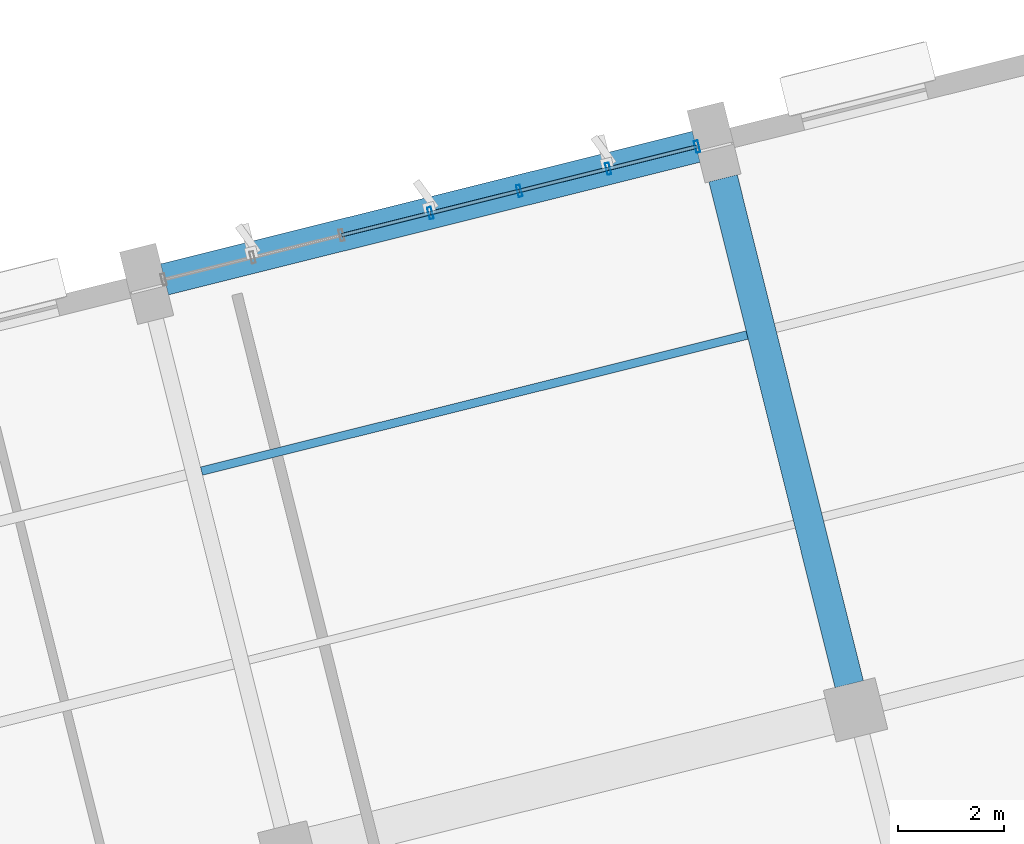
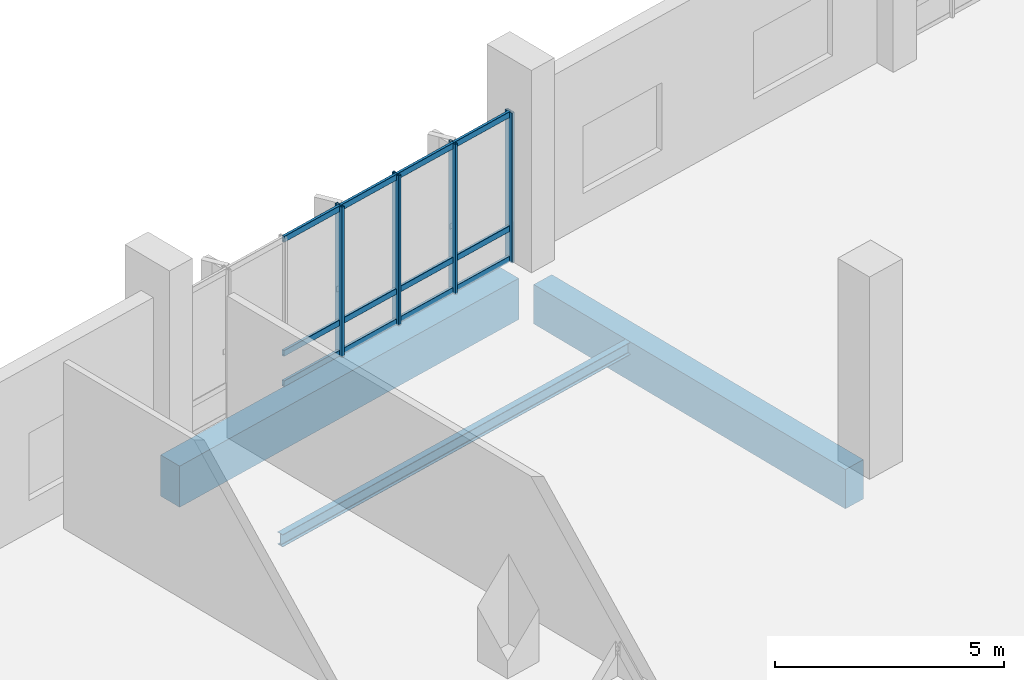
# One storey, part 96 of 176: 16 members, 3 beams, 1 element without a shape of its own.
"""IFC4 building model written with IfcOpenShell, lengths in metres."""

from ifc_helpers import new_model, si_unit, direction, frame, origin, origin_2d, place, context, subcontext, project, spatial, rectangle, hollow_rectangle, i_section, extrude, material, layer, layer_set, material_profile, profile_set, type_object, element, aggregate, save


model = new_model("IFC4")

# Units and contexts
model_context = context("Model", 3, precision=1e-05, world=origin(), true_north=direction((0.0, 1.0)))
body_context = subcontext(model_context, "Body", "Model", "MODEL_VIEW")
ifc_project = project(units=[si_unit("LENGTHUNIT", "METRE"), si_unit("AREAUNIT", "SQUARE_METRE"), si_unit("VOLUMEUNIT", "CUBIC_METRE"), si_unit("PLANEANGLEUNIT", "RADIAN"), si_unit("MASSUNIT", "GRAM", prefix="KILO")], contexts=[model_context])

# Site, building, storey
site_placement = place(None, origin())
site = spatial("IfcSite", under=ifc_project, at=site_placement, CompositionType="ELEMENT")
building_placement = place(site_placement, origin())
building = spatial("IfcBuilding", under=site, at=building_placement, Name="Khorjan Park Terminus", CompositionType="ELEMENT")
storey_placement = place(building_placement, frame((0.0, 0.0, 6.0)))
storey = spatial("IfcBuildingStorey", under=building, at=storey_placement, Name="L01", CompositionType="ELEMENT", Elevation=6.0)

# Beams
ifc_material_1 = material(Name="Concrete C40/50", Category="concrete")
ifc_material_profile_1 = material_profile(ifc_material_1, rectangle(XDim=0.55, YDim=1.05, at=origin_2d()), Name="RC 550x1050")
ifc_profile_set_1 = profile_set([ifc_material_profile_1], Name="Concrete C40/50")
beam_type_1 = type_object("IfcBeamType", Name="BM-RC550x1050", PredefinedType="BEAM", material=ifc_profile_set_1)
beam_1_placement = place(storey_placement, frame((195.2676, 66.4911, -0.875), z_axis=(-0.241926355562, 0.970294614272, 0.0), x_axis=(-0.970294614272, -0.241926355562, 0.0)))
element("IfcBeam", 1, at=beam_1_placement, inside=storey, type_object=beam_type_1, Name="Primary skew-grid floor girder GB-105 (L01)", PredefinedType="BEAM", context=body_context, shape_type="SweptSolid", body=[
    extrude(rectangle(XDim=0.55, YDim=1.05, at=origin_2d()), origin(), (0.0, 0.0, 1.0), 9.81),
])
ifc_material_profile_2 = material_profile(ifc_material_1, rectangle(XDim=0.6, YDim=1.1, at=origin_2d()), Name="RC 600x1100")
ifc_profile_set_2 = profile_set([ifc_material_profile_2], Name="Concrete C40/50")
beam_type_2 = type_object("IfcBeamType", Name="BM-RC600x1100", PredefinedType="BEAM", material=ifc_profile_set_2)
beam_2_placement = place(storey_placement, frame((182.3877, 74.1064, -0.9), z_axis=(0.970295784153, 0.241921663468, 0.0), x_axis=(-0.241921663468, 0.970295784153, 0.0)))
element("IfcBeam", 2, at=beam_2_placement, inside=storey, type_object=beam_type_2, Name="Primary skew-grid floor girder GB-11 (L01)", PredefinedType="BEAM", context=body_context, shape_type="SweptSolid", body=[
    extrude(rectangle(XDim=0.6, YDim=1.1, at=origin_2d()), origin(), (0.0, 0.0, 1.0), 10.3099),
])
ifc_material_2 = material(Name="Steel S355", Category="steel")
ifc_material_profile_3 = material_profile(ifc_material_2, i_section(OverallWidth=0.16, OverallDepth=0.33, WebThickness=0.0075, FlangeThickness=0.0115, FilletRadius=0.018, at=origin_2d()), Name="IPE 330")
ifc_profile_set_3 = profile_set([ifc_material_profile_3], Name="Steel S355")
beam_type_3 = type_object("IfcBeamType", Name="JS-IPE330", PredefinedType="JOIST", material=ifc_profile_set_3)
beam_3_placement = place(storey_placement, frame((183.0855, 70.5014, -0.515), z_axis=(0.970294165893, 0.241928153868, 0.0), x_axis=(-0.241928153868, 0.970294165893, 0.0)))
element("IfcBeam", 3, at=beam_3_placement, inside=storey, type_object=beam_type_3, Name="Secondary composite floor joist SJ-33 (L01)", PredefinedType="JOIST", context=body_context, shape_type="SweptSolid", body=[
    extrude(i_section(OverallWidth=0.16, OverallDepth=0.33, WebThickness=0.0075, FlangeThickness=0.0115, FilletRadius=0.018, at=origin_2d()), origin(), (0.0, 0.0, 1.0), 10.575),
])

# Curtain wall, members
ifc_material_3 = material(Name="Anodized Bronze Aluminium", Category="aluminium")
ifc_layer = layer(ifc_material_3, 0.22)
ifc_layer_set = layer_set([ifc_layer], Name="Anodized Bronze Aluminium")
curtain_wall_type = type_object("IfcCurtainWallType", Name="CW-OPS-B", PredefinedType="NOTDEFINED", material=ifc_layer_set)
curtain_wall_placement = place(storey_placement, origin())
curtain_wall = element("IfcCurtainWall", 4, at=curtain_wall_placement, inside=storey, type_object=curtain_wall_type, Name="Unitized curtain wall CW-B (CW-V5-N-L01-B03)", PredefinedType="NOTDEFINED")
ifc_material_profile_4 = material_profile(ifc_material_3, hollow_rectangle(XDim=0.075, YDim=0.225, WallThickness=0.005, InnerFilletRadius=0.005, OuterFilletRadius=0.01, at=origin_2d()), Name="ALM 75x225x5")
ifc_profile_set_4 = profile_set([ifc_material_profile_4], Name="Anodized Bronze Aluminium")
member_type_1 = type_object("IfcMemberType", Name="ML-ALM-225", PredefinedType="MULLION", material=ifc_profile_set_4)
member_1_placement = place(storey_placement, frame((192.4058, 76.6042, -0.035), z_axis=(0.0, 0.0, 1.0), x_axis=(-0.970295910648, -0.241921156122, 0.0)))
member_1 = element("IfcMember", 5, at=member_1_placement, type_object=member_type_1, Name="Curtain-wall mullion ML-22 (CW-V5-N-L01-B03-0)", PredefinedType="MULLION", context=body_context, shape_type="SweptSolid", body=[
    extrude(hollow_rectangle(XDim=0.075, YDim=0.225, WallThickness=0.005, InnerFilletRadius=0.005, OuterFilletRadius=0.01, at=origin_2d()), origin(), (0.0, 0.0, 1.0), 4.005),
])
member_2_placement = place(storey_placement, frame((190.7337, 76.1873, -0.035), z_axis=(0.0, 0.0, 1.0), x_axis=(-0.970295910648, -0.241921156122, 0.0)))
member_2 = element("IfcMember", 6, at=member_2_placement, type_object=member_type_1, Name="Curtain-wall mullion ML-22 (CW-V5-N-L01-B03-1)", PredefinedType="MULLION", context=body_context, shape_type="SweptSolid", body=[
    extrude(hollow_rectangle(XDim=0.075, YDim=0.225, WallThickness=0.005, InnerFilletRadius=0.005, OuterFilletRadius=0.01, at=origin_2d()), origin(), (0.0, 0.0, 1.0), 4.005),
])
member_3_placement = place(storey_placement, frame((189.0616, 75.7704, -0.035), z_axis=(0.0, 0.0, 1.0), x_axis=(-0.970295910648, -0.241921156122, 0.0)))
member_3 = element("IfcMember", 7, at=member_3_placement, type_object=member_type_1, Name="Curtain-wall mullion ML-22 (CW-V5-N-L01-B03-2)", PredefinedType="MULLION", context=body_context, shape_type="SweptSolid", body=[
    extrude(hollow_rectangle(XDim=0.075, YDim=0.225, WallThickness=0.005, InnerFilletRadius=0.005, OuterFilletRadius=0.01, at=origin_2d()), origin(), (0.0, 0.0, 1.0), 4.005),
])
member_4_placement = place(storey_placement, frame((187.3895, 75.3535, -0.035), z_axis=(0.0, 0.0, 1.0), x_axis=(-0.970295910648, -0.241921156122, 0.0)))
member_4 = element("IfcMember", 8, at=member_4_placement, type_object=member_type_1, Name="Curtain-wall mullion ML-22 (CW-V5-N-L01-B03-3)", PredefinedType="MULLION", context=body_context, shape_type="SweptSolid", body=[
    extrude(hollow_rectangle(XDim=0.075, YDim=0.225, WallThickness=0.005, InnerFilletRadius=0.005, OuterFilletRadius=0.01, at=origin_2d()), origin(), (0.0, 0.0, 1.0), 4.005),
])
ifc_material_profile_5 = material_profile(ifc_material_3, hollow_rectangle(XDim=0.07, YDim=0.16, WallThickness=0.004, InnerFilletRadius=0.004, OuterFilletRadius=0.008, at=origin_2d()), Name="ALT 70x160x4")
ifc_profile_set_5 = profile_set([ifc_material_profile_5], Name="Anodized Bronze Aluminium")
member_type_2 = type_object("IfcMemberType", Name="TR-ALT-160", PredefinedType="USERDEFINED", material=ifc_profile_set_5)
member_5_placement = place(storey_placement, frame((192.4058, 76.6042, 0.04), z_axis=(-0.970295910649, -0.241921156121, 0.0), x_axis=(0.241921156121, -0.970295910649, 0.0)))
member_5 = element("IfcMember", 9, at=member_5_placement, type_object=member_type_2, Name="Curtain-wall transom TR-16 (CW-V5-N-L01-B03-0-1)", ObjectType="TRANSOM", PredefinedType="USERDEFINED", context=body_context, shape_type="SweptSolid", body=[
    extrude(hollow_rectangle(XDim=0.07, YDim=0.16, WallThickness=0.004, InnerFilletRadius=0.004, OuterFilletRadius=0.008, at=origin_2d()), origin(), (0.0, 0.0, 1.0), 1.7233),
])
member_6_placement = place(storey_placement, frame((192.4058, 76.6042, 0.85), z_axis=(-0.970295910649, -0.241921156121, 0.0), x_axis=(0.241921156121, -0.970295910649, 0.0)))
member_6 = element("IfcMember", 10, at=member_6_placement, type_object=member_type_2, Name="Curtain-wall transom TR-16 (CW-V5-N-L01-B03-0-2)", ObjectType="TRANSOM", PredefinedType="USERDEFINED", context=body_context, shape_type="SweptSolid", body=[
    extrude(hollow_rectangle(XDim=0.07, YDim=0.16, WallThickness=0.004, InnerFilletRadius=0.004, OuterFilletRadius=0.008, at=origin_2d()), origin(), (0.0, 0.0, 1.0), 1.7233),
])
member_7_placement = place(storey_placement, frame((192.4058, 76.6042, 3.895), z_axis=(-0.970295910649, -0.241921156121, 0.0), x_axis=(0.241921156121, -0.970295910649, 0.0)))
member_7 = element("IfcMember", 11, at=member_7_placement, type_object=member_type_2, Name="Curtain-wall transom TR-16 (CW-V5-N-L01-B03-0-3)", ObjectType="TRANSOM", PredefinedType="USERDEFINED", context=body_context, shape_type="SweptSolid", body=[
    extrude(hollow_rectangle(XDim=0.07, YDim=0.16, WallThickness=0.004, InnerFilletRadius=0.004, OuterFilletRadius=0.008, at=origin_2d()), origin(), (0.0, 0.0, 1.0), 1.7233),
])
member_8_placement = place(storey_placement, frame((190.7337, 76.1873, 0.04), z_axis=(-0.970295910649, -0.241921156121, 0.0), x_axis=(0.241921156121, -0.970295910649, 0.0)))
member_8 = element("IfcMember", 12, at=member_8_placement, type_object=member_type_2, Name="Curtain-wall transom TR-16 (CW-V5-N-L01-B03-1-1)", ObjectType="TRANSOM", PredefinedType="USERDEFINED", context=body_context, shape_type="SweptSolid", body=[
    extrude(hollow_rectangle(XDim=0.07, YDim=0.16, WallThickness=0.004, InnerFilletRadius=0.004, OuterFilletRadius=0.008, at=origin_2d()), origin(), (0.0, 0.0, 1.0), 1.7233),
])
member_9_placement = place(storey_placement, frame((190.7337, 76.1873, 0.85), z_axis=(-0.970295910649, -0.241921156121, 0.0), x_axis=(0.241921156121, -0.970295910649, 0.0)))
member_9 = element("IfcMember", 13, at=member_9_placement, type_object=member_type_2, Name="Curtain-wall transom TR-16 (CW-V5-N-L01-B03-1-2)", ObjectType="TRANSOM", PredefinedType="USERDEFINED", context=body_context, shape_type="SweptSolid", body=[
    extrude(hollow_rectangle(XDim=0.07, YDim=0.16, WallThickness=0.004, InnerFilletRadius=0.004, OuterFilletRadius=0.008, at=origin_2d()), origin(), (0.0, 0.0, 1.0), 1.7233),
])
member_10_placement = place(storey_placement, frame((190.7337, 76.1873, 3.895), z_axis=(-0.970295910649, -0.241921156121, 0.0), x_axis=(0.241921156121, -0.970295910649, 0.0)))
member_10 = element("IfcMember", 14, at=member_10_placement, type_object=member_type_2, Name="Curtain-wall transom TR-16 (CW-V5-N-L01-B03-1-3)", ObjectType="TRANSOM", PredefinedType="USERDEFINED", context=body_context, shape_type="SweptSolid", body=[
    extrude(hollow_rectangle(XDim=0.07, YDim=0.16, WallThickness=0.004, InnerFilletRadius=0.004, OuterFilletRadius=0.008, at=origin_2d()), origin(), (0.0, 0.0, 1.0), 1.7233),
])
member_11_placement = place(storey_placement, frame((189.0616, 75.7704, 0.04), z_axis=(-0.970295910649, -0.241921156121, 0.0), x_axis=(0.241921156121, -0.970295910649, 0.0)))
member_11 = element("IfcMember", 15, at=member_11_placement, type_object=member_type_2, Name="Curtain-wall transom TR-16 (CW-V5-N-L01-B03-2-1)", ObjectType="TRANSOM", PredefinedType="USERDEFINED", context=body_context, shape_type="SweptSolid", body=[
    extrude(hollow_rectangle(XDim=0.07, YDim=0.16, WallThickness=0.004, InnerFilletRadius=0.004, OuterFilletRadius=0.008, at=origin_2d()), origin(), (0.0, 0.0, 1.0), 1.7233),
])
member_12_placement = place(storey_placement, frame((189.0616, 75.7704, 0.85), z_axis=(-0.970295910649, -0.241921156121, 0.0), x_axis=(0.241921156121, -0.970295910649, 0.0)))
member_12 = element("IfcMember", 16, at=member_12_placement, type_object=member_type_2, Name="Curtain-wall transom TR-16 (CW-V5-N-L01-B03-2-2)", ObjectType="TRANSOM", PredefinedType="USERDEFINED", context=body_context, shape_type="SweptSolid", body=[
    extrude(hollow_rectangle(XDim=0.07, YDim=0.16, WallThickness=0.004, InnerFilletRadius=0.004, OuterFilletRadius=0.008, at=origin_2d()), origin(), (0.0, 0.0, 1.0), 1.7233),
])
member_13_placement = place(storey_placement, frame((189.0616, 75.7704, 3.895), z_axis=(-0.970295910649, -0.241921156121, 0.0), x_axis=(0.241921156121, -0.970295910649, 0.0)))
member_13 = element("IfcMember", 17, at=member_13_placement, type_object=member_type_2, Name="Curtain-wall transom TR-16 (CW-V5-N-L01-B03-2-3)", ObjectType="TRANSOM", PredefinedType="USERDEFINED", context=body_context, shape_type="SweptSolid", body=[
    extrude(hollow_rectangle(XDim=0.07, YDim=0.16, WallThickness=0.004, InnerFilletRadius=0.004, OuterFilletRadius=0.008, at=origin_2d()), origin(), (0.0, 0.0, 1.0), 1.7233),
])
member_14_placement = place(storey_placement, frame((187.3895, 75.3535, 0.04), z_axis=(-0.970295910649, -0.241921156121, 0.0), x_axis=(0.241921156121, -0.970295910649, 0.0)))
member_14 = element("IfcMember", 18, at=member_14_placement, type_object=member_type_2, Name="Curtain-wall transom TR-16 (CW-V5-N-L01-B03-3-1)", ObjectType="TRANSOM", PredefinedType="USERDEFINED", context=body_context, shape_type="SweptSolid", body=[
    extrude(hollow_rectangle(XDim=0.07, YDim=0.16, WallThickness=0.004, InnerFilletRadius=0.004, OuterFilletRadius=0.008, at=origin_2d()), origin(), (0.0, 0.0, 1.0), 1.7233),
])
member_15_placement = place(storey_placement, frame((187.3895, 75.3535, 0.85), z_axis=(-0.970295910649, -0.241921156121, 0.0), x_axis=(0.241921156121, -0.970295910649, 0.0)))
member_15 = element("IfcMember", 19, at=member_15_placement, type_object=member_type_2, Name="Curtain-wall transom TR-16 (CW-V5-N-L01-B03-3-2)", ObjectType="TRANSOM", PredefinedType="USERDEFINED", context=body_context, shape_type="SweptSolid", body=[
    extrude(hollow_rectangle(XDim=0.07, YDim=0.16, WallThickness=0.004, InnerFilletRadius=0.004, OuterFilletRadius=0.008, at=origin_2d()), origin(), (0.0, 0.0, 1.0), 1.7233),
])
member_16_placement = place(storey_placement, frame((187.3895, 75.3535, 3.895), z_axis=(-0.970295910649, -0.241921156121, 0.0), x_axis=(0.241921156121, -0.970295910649, 0.0)))
member_16 = element("IfcMember", 20, at=member_16_placement, type_object=member_type_2, Name="Curtain-wall transom TR-16 (CW-V5-N-L01-B03-3-3)", ObjectType="TRANSOM", PredefinedType="USERDEFINED", context=body_context, shape_type="SweptSolid", body=[
    extrude(hollow_rectangle(XDim=0.07, YDim=0.16, WallThickness=0.004, InnerFilletRadius=0.004, OuterFilletRadius=0.008, at=origin_2d()), origin(), (0.0, 0.0, 1.0), 1.7233),
])
aggregate(curtain_wall, [member_1, member_2, member_3, member_4, member_5, member_6, member_7, member_8, member_9, member_10, member_11, member_12, member_13, member_14, member_15, member_16])

save(model, "model.ifc")
